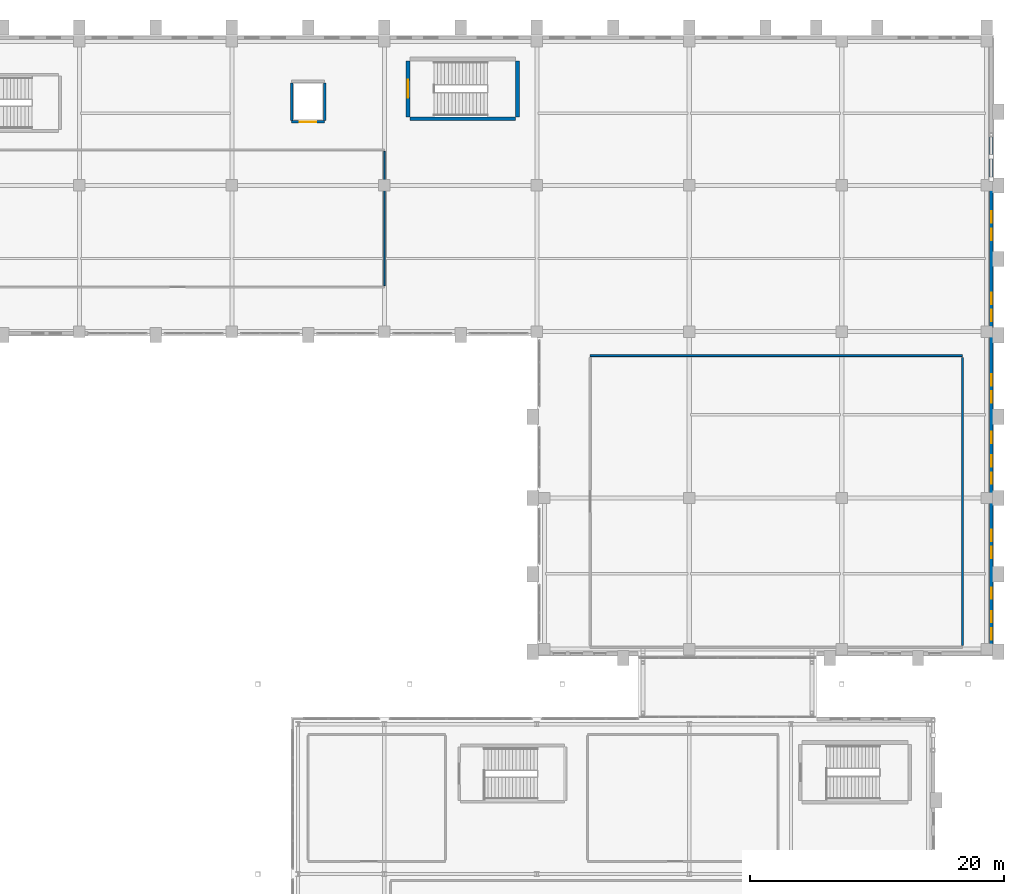
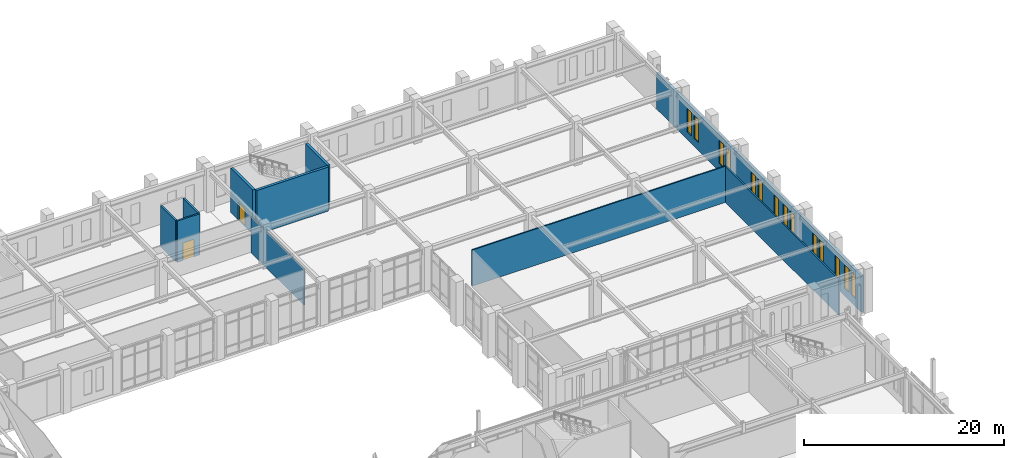
# One storey, part 136 of 159: 14 windows, 13 walls, 2 doors, 16 openings.
"""IFC4 building model written with IfcOpenShell, lengths in metres."""

from ifc_helpers import new_model, si_unit, derived_unit, direction, frame, frame_2d, origin, place, context, subcontext, project, spatial, rectangle, extrude, material, layer, layer_set, type_object, element, fill, save


model = new_model("IFC4")

# Units and contexts
model_context = context("Model", 3, precision=1e-05, world=origin(), true_north=direction((0.0, 1.0)))
body_context = subcontext(model_context, "Body", "Model", "MODEL_VIEW")
ifc_project = project(units=[si_unit("LENGTHUNIT", "METRE"), si_unit("AREAUNIT", "SQUARE_METRE"), si_unit("VOLUMEUNIT", "CUBIC_METRE"), si_unit("PLANEANGLEUNIT", "RADIAN"), si_unit("MASSUNIT", "GRAM", prefix="KILO"), derived_unit("THERMALTRANSMITTANCEUNIT", [(si_unit("MASSUNIT", "GRAM", prefix="KILO"), 1), (si_unit("TIMEUNIT", "SECOND"), -3), (si_unit("THERMODYNAMICTEMPERATUREUNIT", "KELVIN"), -1)])], contexts=[model_context])

# Site, building, storey
site_placement = place(None, origin())
site = spatial("IfcSite", under=ifc_project, at=site_placement, CompositionType="ELEMENT")
building_placement = place(site_placement, origin())
building = spatial("IfcBuilding", under=site, at=building_placement, Name="Valcora Ridge Arena", CompositionType="ELEMENT")
storey_placement = place(building_placement, frame((0.0, 0.0, 6.0)))
storey = spatial("IfcBuildingStorey", under=building, at=storey_placement, Name="L01", CompositionType="ELEMENT", Elevation=6.0)

# Wall, openings, windows
ifc_material_1 = material(Name="Bush-hammered Andean travertine on concrete backup C40/50", Category="masonry")
ifc_layer_1 = layer(ifc_material_1, 0.280029296875, Name="Bush-hammered Andean travertine on concrete backup C40/50")
ifc_layer_set_1 = layer_set([ifc_layer_1], Name="Bush-hammered Andean travertine on concrete backup C40/50")
wall_type_1 = type_object("IfcWallType", Name="TY-WALL-EW-TRV-28-44", PredefinedType="STANDARD", material=ifc_layer_set_1)
wall_1_placement = place(storey_placement, frame((191.780029296875, 83.35009765625, 0.0), z_axis=(0.0, 0.0, 1.0), x_axis=(0.0, 1.0, 0.0)))
wall_1 = element("IfcWall", 1, at=wall_1_placement, inside=storey, type_object=wall_type_1, Name="EW-TRV-28-44 WAL-EW-0150", PredefinedType="STANDARD", context=body_context, shape_type="SweptSolid", body=[
    extrude(rectangle(XDim=12.25, YDim=0.280029296875, at=frame_2d((6.125, 0.0))), origin(), (0.0, 0.0, 1.0), 4.427978515625),
])
opening_1_placement = place(wall_1_placement, frame((1.10009765625, 0.0, 0.949951171875)))
opening_1 = element("IfcOpeningElement", 2, at=opening_1_placement, cuts=wall_1, Name="Opening W-GLAN-90X285", PredefinedType="OPENING", context=body_context, shape_type="SweptSolid", body=[
    extrude(rectangle(XDim=0.89990234375, YDim=2.85009765625, at=frame_2d((0.449951171875, 1.425048828125))), frame((0.0, 0.14990234375, 0.0), z_axis=(0.0, -1.0, 0.0), x_axis=(1.0, 0.0, 0.0)), (0.0, 0.0, 1.0), 0.300048828125),
])
opening_2_placement = place(wall_1_placement, frame((2.449951171875, 0.0, 0.949951171875)))
opening_2 = element("IfcOpeningElement", 3, at=opening_2_placement, cuts=wall_1, Name="Opening W-GLAN-90X285", PredefinedType="OPENING", context=body_context, shape_type="SweptSolid", body=[
    extrude(rectangle(XDim=0.89990234375, YDim=2.85009765625, at=frame_2d((0.449951171875, 1.425048828125))), frame((0.0, 0.14990234375, 0.0), z_axis=(0.0, -1.0, 0.0), x_axis=(1.0, 0.0, 0.0)), (0.0, 0.0, 1.0), 0.300048828125),
])
opening_3_placement = place(wall_1_placement, frame((4.300048828125, 0.0, 0.949951171875)))
opening_3 = element("IfcOpeningElement", 4, at=opening_3_placement, cuts=wall_1, Name="Opening W-GLAN-90X285", PredefinedType="OPENING", context=body_context, shape_type="SweptSolid", body=[
    extrude(rectangle(XDim=0.89990234375, YDim=2.85009765625, at=frame_2d((0.449951171875, 1.425048828125))), frame((0.0, 0.14990234375, 0.0), z_axis=(0.0, -1.0, 0.0), x_axis=(1.0, 0.0, 0.0)), (0.0, 0.0, 1.0), 0.300048828125),
])
opening_4_placement = place(wall_1_placement, frame((7.5, 0.0, 0.949951171875)))
opening_4 = element("IfcOpeningElement", 5, at=opening_4_placement, cuts=wall_1, Name="Opening W-GLAN-90X285", PredefinedType="OPENING", context=body_context, shape_type="SweptSolid", body=[
    extrude(rectangle(XDim=0.89990234375, YDim=2.85009765625, at=frame_2d((0.449951171875, 1.425048828125))), frame((0.0, 0.14990234375, 0.0), z_axis=(0.0, -1.0, 0.0), x_axis=(1.0, 0.0, 0.0)), (0.0, 0.0, 1.0), 0.300048828125),
])
opening_5_placement = place(wall_1_placement, frame((8.85009765625, 0.0, 0.949951171875)))
opening_5 = element("IfcOpeningElement", 6, at=opening_5_placement, cuts=wall_1, Name="Opening W-GLAN-90X285", PredefinedType="OPENING", context=body_context, shape_type="SweptSolid", body=[
    extrude(rectangle(XDim=0.89990234375, YDim=2.85009765625, at=frame_2d((0.449951171875, 1.425048828125))), frame((0.0, 0.14990234375, 0.0), z_axis=(0.0, -1.0, 0.0), x_axis=(1.0, 0.0, 0.0)), (0.0, 0.0, 1.0), 0.300048828125),
])
ifc_material_2 = material(Name="Low-iron solar-control double glazing SHGC 0.28", Category="glass")
window_type = type_object("IfcWindowType", Name="TY-WINDOW-W-GLAN-90X285", PartitioningType="DOUBLE_PANEL_VERTICAL", PredefinedType="WINDOW", material=ifc_material_2)
window_1_placement = place(opening_1_placement, origin())
window_1 = element("IfcWindow", 7, at=window_1_placement, inside=storey, type_object=window_type, Name="W-GLAN-90X285 WIN-EX-0458", OverallHeight=2.85009765625, OverallWidth=0.89990234375, PartitioningType="DOUBLE_PANEL_VERTICAL", PredefinedType="WINDOW", context=body_context, shape_type="SweptSolid", body=[
    extrude(rectangle(XDim=0.89990234375, YDim=2.85009765625, at=frame_2d((0.449951171875, 1.425048828125))), frame((0.0, 0.030029296875, 0.0), z_axis=(0.0, -1.0, 0.0), x_axis=(1.0, 0.0, 0.0)), (0.0, 0.0, 1.0), 0.06005859375),
])
fill(opening_1, window_1)
window_2_placement = place(opening_2_placement, origin())
window_2 = element("IfcWindow", 8, at=window_2_placement, inside=storey, type_object=window_type, Name="W-GLAN-90X285 WIN-EX-0459", OverallHeight=2.85009765625, OverallWidth=0.89990234375, PartitioningType="DOUBLE_PANEL_VERTICAL", PredefinedType="WINDOW", context=body_context, shape_type="SweptSolid", body=[
    extrude(rectangle(XDim=0.89990234375, YDim=2.85009765625, at=frame_2d((0.449951171875, 1.425048828125))), frame((0.0, 0.030029296875, 0.0), z_axis=(0.0, -1.0, 0.0), x_axis=(1.0, 0.0, 0.0)), (0.0, 0.0, 1.0), 0.06005859375),
])
fill(opening_2, window_2)
window_3_placement = place(opening_3_placement, origin())
window_3 = element("IfcWindow", 9, at=window_3_placement, inside=storey, type_object=window_type, Name="W-GLAN-90X285 WIN-EX-0460", OverallHeight=2.85009765625, OverallWidth=0.89990234375, PartitioningType="DOUBLE_PANEL_VERTICAL", PredefinedType="WINDOW", context=body_context, shape_type="SweptSolid", body=[
    extrude(rectangle(XDim=0.89990234375, YDim=2.85009765625, at=frame_2d((0.449951171875, 1.425048828125))), frame((0.0, 0.030029296875, 0.0), z_axis=(0.0, -1.0, 0.0), x_axis=(1.0, 0.0, 0.0)), (0.0, 0.0, 1.0), 0.06005859375),
])
fill(opening_3, window_3)
window_4_placement = place(opening_4_placement, origin())
window_4 = element("IfcWindow", 10, at=window_4_placement, inside=storey, type_object=window_type, Name="W-GLAN-90X285 WIN-EX-0461", OverallHeight=2.85009765625, OverallWidth=0.89990234375, PartitioningType="DOUBLE_PANEL_VERTICAL", PredefinedType="WINDOW", context=body_context, shape_type="SweptSolid", body=[
    extrude(rectangle(XDim=0.89990234375, YDim=2.85009765625, at=frame_2d((0.449951171875, 1.425048828125))), frame((0.0, 0.030029296875, 0.0), z_axis=(0.0, -1.0, 0.0), x_axis=(1.0, 0.0, 0.0)), (0.0, 0.0, 1.0), 0.06005859375),
])
fill(opening_4, window_4)
window_5_placement = place(opening_5_placement, origin())
window_5 = element("IfcWindow", 11, at=window_5_placement, inside=storey, type_object=window_type, Name="W-GLAN-90X285 WIN-EX-0462", OverallHeight=2.85009765625, OverallWidth=0.89990234375, PartitioningType="DOUBLE_PANEL_VERTICAL", PredefinedType="WINDOW", context=body_context, shape_type="SweptSolid", body=[
    extrude(rectangle(XDim=0.89990234375, YDim=2.85009765625, at=frame_2d((0.449951171875, 1.425048828125))), frame((0.0, 0.030029296875, 0.0), z_axis=(0.0, -1.0, 0.0), x_axis=(1.0, 0.0, 0.0)), (0.0, 0.0, 1.0), 0.06005859375),
])
fill(opening_5, window_5)

wall_2_placement = place(storey_placement, frame((191.780029296875, 95.60009765625, 0.0), z_axis=(0.0, 0.0, 1.0), x_axis=(0.0, 1.0, 0.0)))
wall_2 = element("IfcWall", 12, at=wall_2_placement, inside=storey, type_object=wall_type_1, Name="EW-TRV-28-44 WAL-EW-0151", PredefinedType="STANDARD", context=body_context, shape_type="SweptSolid", body=[
    extrude(rectangle(XDim=12.7998046875, YDim=0.280029296875, at=frame_2d((6.39990234375, 0.0))), origin(), (0.0, 0.0, 1.0), 4.427978515625),
])
opening_6_placement = place(wall_2_placement, frame((1.10009765625, 0.0, 0.949951171875)))
opening_6 = element("IfcOpeningElement", 13, at=opening_6_placement, cuts=wall_2, Name="Opening W-GLAN-90X285", PredefinedType="OPENING", context=body_context, shape_type="SweptSolid", body=[
    extrude(rectangle(XDim=0.89990234375, YDim=2.85009765625, at=frame_2d((0.449951171875, 1.425048828125))), frame((0.0, 0.14990234375, 0.0), z_axis=(0.0, -1.0, 0.0), x_axis=(1.0, 0.0, 0.0)), (0.0, 0.0, 1.0), 0.300048828125),
])
opening_7_placement = place(wall_2_placement, frame((2.449951171875, 0.0, 0.949951171875)))
opening_7 = element("IfcOpeningElement", 14, at=opening_7_placement, cuts=wall_2, Name="Opening W-GLAN-90X285", PredefinedType="OPENING", context=body_context, shape_type="SweptSolid", body=[
    extrude(rectangle(XDim=0.89990234375, YDim=2.85009765625, at=frame_2d((0.449951171875, 1.425048828125))), frame((0.0, 0.14990234375, 0.0), z_axis=(0.0, -1.0, 0.0), x_axis=(1.0, 0.0, 0.0)), (0.0, 0.0, 1.0), 0.300048828125),
])
opening_8_placement = place(wall_2_placement, frame((4.300048828125, 0.0, 0.949951171875)))
opening_8 = element("IfcOpeningElement", 15, at=opening_8_placement, cuts=wall_2, Name="Opening W-GLAN-90X285", PredefinedType="OPENING", context=body_context, shape_type="SweptSolid", body=[
    extrude(rectangle(XDim=0.89990234375, YDim=2.85009765625, at=frame_2d((0.449951171875, 1.425048828125))), frame((0.0, 0.14990234375, 0.0), z_axis=(0.0, -1.0, 0.0), x_axis=(1.0, 0.0, 0.0)), (0.0, 0.0, 1.0), 0.300048828125),
])
opening_9_placement = place(wall_2_placement, frame((7.5, 0.0, 0.949951171875)))
opening_9 = element("IfcOpeningElement", 16, at=opening_9_placement, cuts=wall_2, Name="Opening W-GLAN-90X285", PredefinedType="OPENING", context=body_context, shape_type="SweptSolid", body=[
    extrude(rectangle(XDim=0.89990234375, YDim=2.85009765625, at=frame_2d((0.449951171875, 1.425048828125))), frame((0.0, 0.14990234375, 0.0), z_axis=(0.0, -1.0, 0.0), x_axis=(1.0, 0.0, 0.0)), (0.0, 0.0, 1.0), 0.300048828125),
])
opening_10_placement = place(wall_2_placement, frame((8.85009765625, 0.0, 0.949951171875)))
opening_10 = element("IfcOpeningElement", 17, at=opening_10_placement, cuts=wall_2, Name="Opening W-GLAN-90X285", PredefinedType="OPENING", context=body_context, shape_type="SweptSolid", body=[
    extrude(rectangle(XDim=0.89990234375, YDim=2.85009765625, at=frame_2d((0.449951171875, 1.425048828125))), frame((0.0, 0.14990234375, 0.0), z_axis=(0.0, -1.0, 0.0), x_axis=(1.0, 0.0, 0.0)), (0.0, 0.0, 1.0), 0.300048828125),
])
window_6_placement = place(opening_6_placement, origin())
window_6 = element("IfcWindow", 18, at=window_6_placement, inside=storey, type_object=window_type, Name="W-GLAN-90X285 WIN-EX-0463", OverallHeight=2.85009765625, OverallWidth=0.89990234375, PartitioningType="DOUBLE_PANEL_VERTICAL", PredefinedType="WINDOW", context=body_context, shape_type="SweptSolid", body=[
    extrude(rectangle(XDim=0.89990234375, YDim=2.85009765625, at=frame_2d((0.449951171875, 1.425048828125))), frame((0.0, 0.030029296875, 0.0), z_axis=(0.0, -1.0, 0.0), x_axis=(1.0, 0.0, 0.0)), (0.0, 0.0, 1.0), 0.06005859375),
])
fill(opening_6, window_6)
window_7_placement = place(opening_7_placement, origin())
window_7 = element("IfcWindow", 19, at=window_7_placement, inside=storey, type_object=window_type, Name="W-GLAN-90X285 WIN-EX-0464", OverallHeight=2.85009765625, OverallWidth=0.89990234375, PartitioningType="DOUBLE_PANEL_VERTICAL", PredefinedType="WINDOW", context=body_context, shape_type="SweptSolid", body=[
    extrude(rectangle(XDim=0.89990234375, YDim=2.85009765625, at=frame_2d((0.449951171875, 1.425048828125))), frame((0.0, 0.030029296875, 0.0), z_axis=(0.0, -1.0, 0.0), x_axis=(1.0, 0.0, 0.0)), (0.0, 0.0, 1.0), 0.06005859375),
])
fill(opening_7, window_7)
window_8_placement = place(opening_8_placement, origin())
window_8 = element("IfcWindow", 20, at=window_8_placement, inside=storey, type_object=window_type, Name="W-GLAN-90X285 WIN-EX-0465", OverallHeight=2.85009765625, OverallWidth=0.89990234375, PartitioningType="DOUBLE_PANEL_VERTICAL", PredefinedType="WINDOW", context=body_context, shape_type="SweptSolid", body=[
    extrude(rectangle(XDim=0.89990234375, YDim=2.85009765625, at=frame_2d((0.449951171875, 1.425048828125))), frame((0.0, 0.030029296875, 0.0), z_axis=(0.0, -1.0, 0.0), x_axis=(1.0, 0.0, 0.0)), (0.0, 0.0, 1.0), 0.06005859375),
])
fill(opening_8, window_8)
window_9_placement = place(opening_9_placement, origin())
window_9 = element("IfcWindow", 21, at=window_9_placement, inside=storey, type_object=window_type, Name="W-GLAN-90X285 WIN-EX-0466", OverallHeight=2.85009765625, OverallWidth=0.89990234375, PartitioningType="DOUBLE_PANEL_VERTICAL", PredefinedType="WINDOW", context=body_context, shape_type="SweptSolid", body=[
    extrude(rectangle(XDim=0.89990234375, YDim=2.85009765625, at=frame_2d((0.449951171875, 1.425048828125))), frame((0.0, 0.030029296875, 0.0), z_axis=(0.0, -1.0, 0.0), x_axis=(1.0, 0.0, 0.0)), (0.0, 0.0, 1.0), 0.06005859375),
])
fill(opening_9, window_9)
window_10_placement = place(opening_10_placement, origin())
window_10 = element("IfcWindow", 22, at=window_10_placement, inside=storey, type_object=window_type, Name="W-GLAN-90X285 WIN-EX-0467", OverallHeight=2.85009765625, OverallWidth=0.89990234375, PartitioningType="DOUBLE_PANEL_VERTICAL", PredefinedType="WINDOW", context=body_context, shape_type="SweptSolid", body=[
    extrude(rectangle(XDim=0.89990234375, YDim=2.85009765625, at=frame_2d((0.449951171875, 1.425048828125))), frame((0.0, 0.030029296875, 0.0), z_axis=(0.0, -1.0, 0.0), x_axis=(1.0, 0.0, 0.0)), (0.0, 0.0, 1.0), 0.06005859375),
])
fill(opening_10, window_10)

wall_3_placement = place(storey_placement, frame((191.780029296875, 108.39990234375, 0.0), z_axis=(0.0, 0.0, 1.0), x_axis=(0.0, 1.0, 0.0)))
wall_3 = element("IfcWall", 23, at=wall_3_placement, inside=storey, type_object=wall_type_1, Name="EW-TRV-28-44 WAL-EW-0152", PredefinedType="STANDARD", context=body_context, shape_type="SweptSolid", body=[
    extrude(rectangle(XDim=11.800048828125, YDim=0.280029296875, at=frame_2d((5.89990234375, 0.0))), origin(), (0.0, 0.0, 1.0), 4.427978515625),
])
opening_11_placement = place(wall_3_placement, frame((1.10009765625, 0.0, 0.949951171875)))
opening_11 = element("IfcOpeningElement", 24, at=opening_11_placement, cuts=wall_3, Name="Opening W-GLAN-90X285", PredefinedType="OPENING", context=body_context, shape_type="SweptSolid", body=[
    extrude(rectangle(XDim=0.89990234375, YDim=2.85009765625, at=frame_2d((0.449951171875, 1.425048828125))), frame((0.0, 0.14990234375, 0.0), z_axis=(0.0, -1.0, 0.0), x_axis=(1.0, 0.0, 0.0)), (0.0, 0.0, 1.0), 0.300048828125),
])
opening_12_placement = place(wall_3_placement, frame((2.449951171875, 0.0, 0.949951171875)))
opening_12 = element("IfcOpeningElement", 25, at=opening_12_placement, cuts=wall_3, Name="Opening W-GLAN-90X285", PredefinedType="OPENING", context=body_context, shape_type="SweptSolid", body=[
    extrude(rectangle(XDim=0.89990234375, YDim=2.85009765625, at=frame_2d((0.449951171875, 1.425048828125))), frame((0.0, 0.14990234375, 0.0), z_axis=(0.0, -1.0, 0.0), x_axis=(1.0, 0.0, 0.0)), (0.0, 0.0, 1.0), 0.300048828125),
])
opening_13_placement = place(wall_3_placement, frame((7.5, 0.0, 0.949951171875)))
opening_13 = element("IfcOpeningElement", 26, at=opening_13_placement, cuts=wall_3, Name="Opening W-GLAN-90X285", PredefinedType="OPENING", context=body_context, shape_type="SweptSolid", body=[
    extrude(rectangle(XDim=0.89990234375, YDim=2.85009765625, at=frame_2d((0.449951171875, 1.425048828125))), frame((0.0, 0.14990234375, 0.0), z_axis=(0.0, -1.0, 0.0), x_axis=(1.0, 0.0, 0.0)), (0.0, 0.0, 1.0), 0.300048828125),
])
opening_14_placement = place(wall_3_placement, frame((8.85009765625, 0.0, 0.949951171875)))
opening_14 = element("IfcOpeningElement", 27, at=opening_14_placement, cuts=wall_3, Name="Opening W-GLAN-90X285", PredefinedType="OPENING", context=body_context, shape_type="SweptSolid", body=[
    extrude(rectangle(XDim=0.89990234375, YDim=2.85009765625, at=frame_2d((0.449951171875, 1.425048828125))), frame((0.0, 0.14990234375, 0.0), z_axis=(0.0, -1.0, 0.0), x_axis=(1.0, 0.0, 0.0)), (0.0, 0.0, 1.0), 0.300048828125),
])
window_11_placement = place(opening_11_placement, origin())
window_11 = element("IfcWindow", 28, at=window_11_placement, inside=storey, type_object=window_type, Name="W-GLAN-90X285 WIN-EX-0468", OverallHeight=2.85009765625, OverallWidth=0.89990234375, PartitioningType="DOUBLE_PANEL_VERTICAL", PredefinedType="WINDOW", context=body_context, shape_type="SweptSolid", body=[
    extrude(rectangle(XDim=0.89990234375, YDim=2.85009765625, at=frame_2d((0.449951171875, 1.425048828125))), frame((0.0, 0.030029296875, 0.0), z_axis=(0.0, -1.0, 0.0), x_axis=(1.0, 0.0, 0.0)), (0.0, 0.0, 1.0), 0.06005859375),
])
fill(opening_11, window_11)
window_12_placement = place(opening_12_placement, origin())
window_12 = element("IfcWindow", 29, at=window_12_placement, inside=storey, type_object=window_type, Name="W-GLAN-90X285 WIN-EX-0469", OverallHeight=2.85009765625, OverallWidth=0.89990234375, PartitioningType="DOUBLE_PANEL_VERTICAL", PredefinedType="WINDOW", context=body_context, shape_type="SweptSolid", body=[
    extrude(rectangle(XDim=0.89990234375, YDim=2.85009765625, at=frame_2d((0.449951171875, 1.425048828125))), frame((0.0, 0.030029296875, 0.0), z_axis=(0.0, -1.0, 0.0), x_axis=(1.0, 0.0, 0.0)), (0.0, 0.0, 1.0), 0.06005859375),
])
fill(opening_12, window_12)
window_13_placement = place(opening_13_placement, origin())
window_13 = element("IfcWindow", 30, at=window_13_placement, inside=storey, type_object=window_type, Name="W-GLAN-90X285 WIN-EX-0470", OverallHeight=2.85009765625, OverallWidth=0.89990234375, PartitioningType="DOUBLE_PANEL_VERTICAL", PredefinedType="WINDOW", context=body_context, shape_type="SweptSolid", body=[
    extrude(rectangle(XDim=0.89990234375, YDim=2.85009765625, at=frame_2d((0.449951171875, 1.425048828125))), frame((0.0, 0.030029296875, 0.0), z_axis=(0.0, -1.0, 0.0), x_axis=(1.0, 0.0, 0.0)), (0.0, 0.0, 1.0), 0.06005859375),
])
fill(opening_13, window_13)
window_14_placement = place(opening_14_placement, origin())
window_14 = element("IfcWindow", 31, at=window_14_placement, inside=storey, type_object=window_type, Name="W-GLAN-90X285 WIN-EX-0471", OverallHeight=2.85009765625, OverallWidth=0.89990234375, PartitioningType="DOUBLE_PANEL_VERTICAL", PredefinedType="WINDOW", context=body_context, shape_type="SweptSolid", body=[
    extrude(rectangle(XDim=0.89990234375, YDim=2.85009765625, at=frame_2d((0.449951171875, 1.425048828125))), frame((0.0, 0.030029296875, 0.0), z_axis=(0.0, -1.0, 0.0), x_axis=(1.0, 0.0, 0.0)), (0.0, 0.0, 1.0), 0.06005859375),
])
fill(opening_14, window_14)

# Walls
wall_4_placement = place(storey_placement, frame((191.780029296875, 120.199951171875, 0.0), z_axis=(0.0, 0.0, 1.0), x_axis=(0.0, 1.0, 0.0)))
element("IfcWall", 32, at=wall_4_placement, inside=storey, type_object=wall_type_1, Name="EW-TRV-28-44 WAL-EW-0153", PredefinedType="STANDARD", context=body_context, shape_type="SweptSolid", body=[
    extrude(rectangle(XDim=4.150146484375, YDim=0.280029296875, at=frame_2d((2.0751953125, 0.0))), origin(), (0.0, 0.0, 1.0), 4.427978515625),
])
ifc_material_3 = material(Name="Fire-rated masonry-core compartment wall C35/45 150 mm", Category="masonry")
ifc_layer_2 = layer(ifc_material_3, 0.14990234375, Name="Fire-rated masonry-core compartment wall C35/45 150 mm")
ifc_layer_set_2 = layer_set([ifc_layer_2], Name="Fire-rated masonry-core compartment wall C35/45 150 mm")
wall_type_2 = type_object("IfcWallType", Name="TY-WALL-IW-COMP-150", PredefinedType="STANDARD", material=ifc_layer_set_2)
wall_5_placement = place(storey_placement, frame((160.199951171875, 106.800048828125, 0.0), z_axis=(0.0, 0.0, 1.0), x_axis=(1.0, 0.0, 0.0)))
element("IfcWall", 33, at=wall_5_placement, inside=storey, type_object=wall_type_2, Name="IW-COMP-150 WAL-IN-0346", PredefinedType="STANDARD", context=body_context, shape_type="SweptSolid", body=[
    extrude(rectangle(XDim=29.300048828125, YDim=0.14990234375, at=frame_2d((14.64990234375, 0.0))), origin(), (0.0, 0.0, 1.0), 4.427978515625),
])
wall_6_placement = place(storey_placement, frame((189.5, 84.0, 0.0), z_axis=(0.0, 0.0, 1.0), x_axis=(0.0, 1.0, 0.0)))
element("IfcWall", 34, at=wall_6_placement, inside=storey, type_object=wall_type_2, Name="IW-COMP-150 WAL-IN-0348", PredefinedType="STANDARD", context=body_context, shape_type="SweptSolid", body=[
    extrude(rectangle(XDim=22.64990234375, YDim=0.14990234375, at=frame_2d((11.324951171875, 0.0))), origin(), (0.0, 0.0, 1.0), 4.427978515625),
])
ifc_material_4 = material(Name="Acoustic metal-stud gypsum partition 120 mm")
ifc_layer_3 = layer(ifc_material_4, 0.1201171875, Name="Acoustic metal-stud gypsum partition 120 mm")
ifc_layer_set_3 = layer_set([ifc_layer_3], Name="Acoustic metal-stud gypsum partition 120 mm")
wall_type_3 = type_object("IfcWallType", Name="TY-WALL-IW-PART-120", PredefinedType="PARTITIONING", material=ifc_layer_set_3)
wall_7_placement = place(storey_placement, frame((144.0, 112.320068359375, 0.0), z_axis=(0.0, 0.0, 1.0), x_axis=(0.0, 1.0, 0.0)))
element("IfcWall", 35, at=wall_7_placement, inside=storey, type_object=wall_type_3, Name="IW-PART-120 WAL-IN-0344", PredefinedType="PARTITIONING", context=body_context, shape_type="SweptSolid", body=[
    extrude(rectangle(XDim=10.559814453125, YDim=0.1201171875, at=frame_2d((5.27978515625, 0.0))), origin(), (0.0, 0.0, 1.0), 4.427978515625),
])

# Wall, opening, door
ifc_material_5 = material(Name="Concrete C40/50", Category="concrete")
ifc_layer_4 = layer(ifc_material_5, 0.199951171875, Name="Concrete C40/50")
ifc_layer_set_4 = layer_set([ifc_layer_4], Name="Concrete C40/50")
wall_type_4 = type_object("IfcWallType", Name="TY-WALL-IW-SHF-200", PredefinedType="STANDARD", material=ifc_layer_set_4)
wall_8_placement = place(storey_placement, frame((136.699951171875, 125.199951171875, 0.0), z_axis=(0.0, 0.0, 1.0), x_axis=(1.0, 0.0, 0.0)))
wall_8 = element("IfcWall", 36, at=wall_8_placement, inside=storey, type_object=wall_type_4, Name="IW-SHF-200 WAL-SH-0273", PredefinedType="STANDARD", context=body_context, shape_type="SweptSolid", body=[
    extrude(rectangle(XDim=2.60009765625, YDim=0.199951171875, at=frame_2d((1.300048828125, 0.0))), origin(), (0.0, 0.0, 1.0), 5.0400390625),
])
opening_15_placement = place(wall_8_placement, frame((0.64990234375, 0.0, 0.0)))
opening_15 = element("IfcOpeningElement", 37, at=opening_15_placement, cuts=wall_8, Name="Opening LD-GDS", PredefinedType="OPENING", context=body_context, shape_type="SweptSolid", body=[
    extrude(rectangle(XDim=1.300048828125, YDim=2.14990234375, at=frame_2d((0.64990234375, 1.074951171875))), frame((0.0, 0.10986328125, 0.0), z_axis=(0.0, -1.0, 0.0), x_axis=(1.0, 0.0, 0.0)), (0.0, 0.0, 1.0), 0.219970703125),
])
ifc_material_6 = material(Name="Insulated fire-rated hollow metal steel", Category="steel")
door_type_1 = type_object("IfcDoorType", Name="TY-DOOR-LD-GDS", OperationType="NOTDEFINED", PredefinedType="DOOR", material=ifc_material_6)
door_1_placement = place(opening_15_placement, origin())
door_1 = element("IfcDoor", 38, at=door_1_placement, inside=storey, type_object=door_type_1, Name="GL2 Landing Door L01", OperationType="SLIDING_TO_LEFT", OverallHeight=2.14990234375, OverallWidth=1.300048828125, PredefinedType="DOOR", context=body_context, shape_type="SweptSolid", body=[
    extrude(rectangle(XDim=1.300048828125, YDim=2.14990234375, at=frame_2d((0.64990234375, 1.074951171875))), frame((0.0, 0.02490234375, 0.0), z_axis=(0.0, -1.0, 0.0), x_axis=(1.0, 0.0, 0.0)), (0.0, 0.0, 1.0), 0.050048828125),
])
fill(opening_15, door_1)

# Walls
for number, where, z_axis, x_axis, name in (
    (39, (136.699951171875, 125.320068359375, 0.0), (0.0, 0.0, 1.0), (0.0, 1.0, 0.0), "IW-SHF-200 WAL-SH-0275"),
    (40, (139.300048828125, 125.320068359375, 0.0), (0.0, 0.0, 1.0), (0.0, 1.0, 0.0), "IW-SHF-200 WAL-SH-0276"),
):
    element("IfcWall", number, at=place(storey_placement, frame(where, z_axis=z_axis, x_axis=x_axis)), inside=storey, type_object=wall_type_4, Name=name, PredefinedType="STANDARD", context=body_context, shape_type="SweptSolid", body=[
        extrude(rectangle(XDim=2.9599609375, YDim=0.199951171875, at=frame_2d((1.47998046875, 0.0))), origin(), (0.0, 0.0, 1.0), 5.0400390625),
    ])
ifc_material_7 = material(Name="Concrete C45/55", Category="concrete")
ifc_layer_5 = layer(ifc_material_7, 0.300048828125, Name="Concrete C45/55")
ifc_layer_set_5 = layer_set([ifc_layer_5], Name="Concrete C45/55")
wall_type_5 = type_object("IfcWallType", Name="TY-WALL-SW-C300-L", PredefinedType="SHEAR", material=ifc_layer_set_5)
wall_9_placement = place(storey_placement, frame((146.0, 125.449951171875, 0.0), z_axis=(0.0, 0.0, 1.0), x_axis=(1.0, 0.0, 0.0)))
element("IfcWall", 41, at=wall_9_placement, inside=storey, type_object=wall_type_5, Name="SW-C300-L WAL-CR-0205", PredefinedType="SHEAR", context=body_context, shape_type="SweptSolid", body=[
    extrude(rectangle(XDim=8.320068359375, YDim=0.300048828125, at=frame_2d((4.16015625, 0.0))), origin(), (0.0, 0.0, 1.0), 5.39990234375),
])

# Wall, opening, door
ifc_layer_6 = layer(ifc_material_7, 0.300048828125, Name="Concrete C45/55")
ifc_layer_set_6 = layer_set([ifc_layer_6], Name="Concrete C45/55")
wall_type_6 = type_object("IfcWallType", Name="TY-WALL-SW-C300-S", PredefinedType="SHEAR", material=ifc_layer_set_6)
wall_10_placement = place(storey_placement, frame((145.85009765625, 125.60009765625, 0.0), z_axis=(0.0, 0.0, 1.0), x_axis=(0.0, 1.0, 0.0)))
wall_10 = element("IfcWall", 42, at=wall_10_placement, inside=storey, type_object=wall_type_6, Name="SW-C300-S WAL-CR-0207", PredefinedType="SHEAR", context=body_context, shape_type="SweptSolid", body=[
    extrude(rectangle(XDim=4.39990234375, YDim=0.300048828125, at=frame_2d((2.199951171875, 0.0))), origin(), (0.0, 0.0, 1.0), 5.39990234375),
])
opening_16_placement = place(wall_10_placement, frame((1.5, 0.0, 0.0)))
opening_16 = element("IfcOpeningElement", 43, at=opening_16_placement, cuts=wall_10, Name="Opening FD-01", PredefinedType="OPENING", context=body_context, shape_type="SweptSolid", body=[
    extrude(rectangle(XDim=1.39990234375, YDim=2.199951171875, at=frame_2d((0.699951171875, 1.10009765625))), frame((0.0, 0.159912109375, 0.0), z_axis=(0.0, -1.0, 0.0), x_axis=(1.0, 0.0, 0.0)), (0.0, 0.0, 1.0), 0.320068359375),
])
ifc_material_8 = material(Name="Insulated fire-rated steel door leaf", Category="steel")
door_type_2 = type_object("IfcDoorType", Name="TY-DOOR-FD-01", OperationType="NOTDEFINED", PredefinedType="DOOR", material=ifc_material_8)
door_2_placement = place(opening_16_placement, origin())
door_2 = element("IfcDoor", 44, at=door_2_placement, inside=storey, type_object=door_type_2, Name="FD-01 DOR-ST-0052", OperationType="DOUBLE_DOOR_SINGLE_SWING", OverallHeight=2.199951171875, OverallWidth=1.39990234375, PredefinedType="DOOR", context=body_context, shape_type="SweptSolid", body=[
    extrude(rectangle(XDim=1.39990234375, YDim=2.199951171875, at=frame_2d((0.699951171875, 1.10009765625))), frame((0.0, 0.02490234375, 0.0), z_axis=(0.0, -1.0, 0.0), x_axis=(1.0, 0.0, 0.0)), (0.0, 0.0, 1.0), 0.050048828125),
])
fill(opening_16, door_2)

# Wall
wall_11_placement = place(storey_placement, frame((154.469970703125, 125.60009765625, 0.0), z_axis=(0.0, 0.0, 1.0), x_axis=(0.0, 1.0, 0.0)))
element("IfcWall", 45, at=wall_11_placement, inside=storey, type_object=wall_type_6, Name="SW-C300-S WAL-CR-0208", PredefinedType="SHEAR", context=body_context, shape_type="SweptSolid", body=[
    extrude(rectangle(XDim=4.39990234375, YDim=0.300048828125, at=frame_2d((2.199951171875, 0.0))), origin(), (0.0, 0.0, 1.0), 5.39990234375),
])

save(model, "model.ifc")
